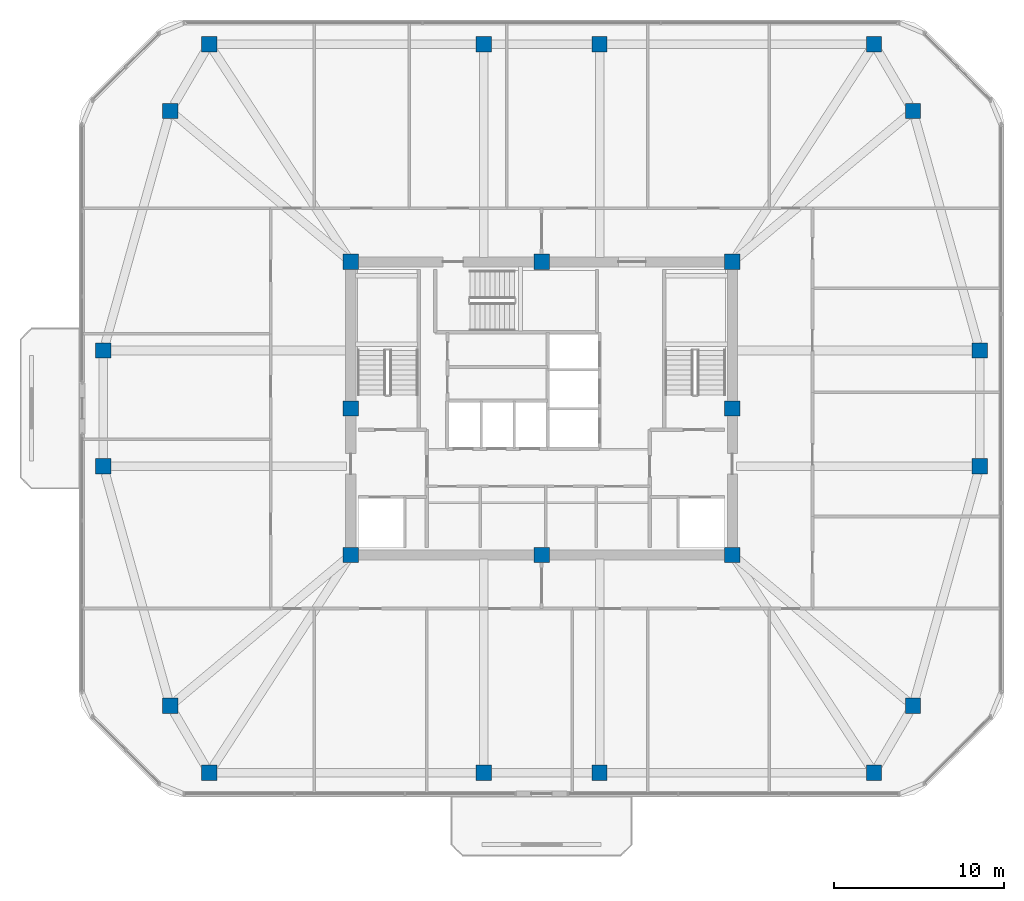
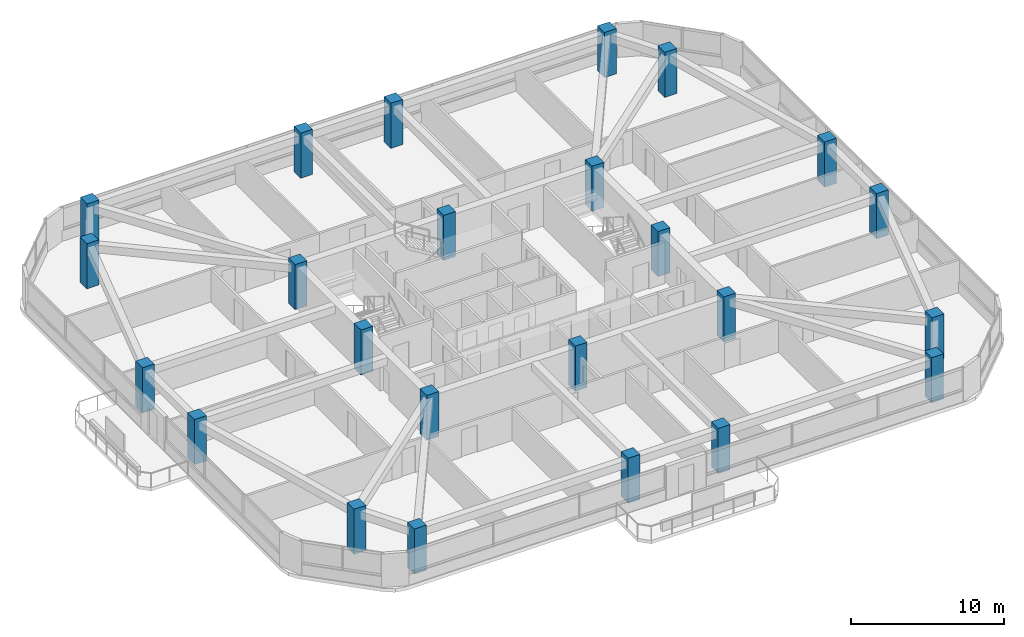
# One storey, part 1 of 13: 24 columns.
"""IFC4 building model written with IfcOpenShell, lengths in metres."""

from ifc_helpers import new_model, si_unit, derived_unit, direction, frame, origin, origin_2d, place, context, subcontext, project, spatial, rectangle, extrude, material, material_profile, profile_set, type_object, element, save


model = new_model("IFC4")

# Units and contexts
model_context = context("Model", 3, precision=1e-05, world=origin(), true_north=direction((0.0, 1.0)))
body_context = subcontext(model_context, "Body", "Model", "MODEL_VIEW")
ifc_project = project(units=[si_unit("LENGTHUNIT", "METRE"), si_unit("AREAUNIT", "SQUARE_METRE"), si_unit("VOLUMEUNIT", "CUBIC_METRE"), si_unit("PLANEANGLEUNIT", "RADIAN"), si_unit("MASSUNIT", "GRAM", prefix="KILO"), derived_unit("THERMALTRANSMITTANCEUNIT", [(si_unit("POWERUNIT", "WATT"), 1), (si_unit("LENGTHUNIT", "METRE"), -2), (si_unit("THERMODYNAMICTEMPERATUREUNIT", "KELVIN"), -1)])], contexts=[model_context])

# Site, building, storey
site_placement = place(None, origin())
site = spatial("IfcSite", under=ifc_project, at=site_placement, CompositionType="ELEMENT")
building_placement = place(site_placement, origin())
building = spatial("IfcBuilding", under=site, at=building_placement, Name="Koralith Skygarden Medical Center", CompositionType="ELEMENT")
storey_placement = place(building_placement, frame((0.0, 0.0, 228.780029296875)))
storey = spatial("IfcBuildingStorey", under=building, at=storey_placement, Name="L59", CompositionType="ELEMENT", Elevation=228.780029296875)

# Columns
ifc_material = material(Name="Concrete C55/67", Category="concrete")
ifc_material_profile_1 = material_profile(ifc_material, rectangle(XDim=0.89990234375, YDim=0.89990234375, at=origin_2d()), Name="RC900X900")
ifc_profile_set_1 = profile_set([ifc_material_profile_1], Name="Concrete C55/67")
column_type_1 = type_object("IfcColumnType", Name="Core Column C55 RC900", PredefinedType="COLUMN", material=ifc_profile_set_1)
for number, where, z_axis, x_axis, name in (
    (1, (25.800048828125, 17.300048828125, 0.0), (0.0, 0.0, 1.0), (1.0, 0.0, 0.0), "L59 Core Column CC-01"),
    (2, (37.0, 17.300048828125, 0.0), (0.0, 0.0, 1.0), (1.0, 0.0, 0.0), "L59 Core Column CC-02"),
    (3, (48.199951171875, 17.300048828125, 0.0), (0.0, 0.0, 1.0), (1.0, 0.0, 0.0), "L59 Core Column CC-03"),
    (4, (48.199951171875, 25.89990234375, 0.0), (0.0, 0.0, 1.0), (1.0, 0.0, 0.0), "L59 Core Column CC-04"),
    (5, (48.199951171875, 34.5, 0.0), (0.0, 0.0, 1.0), (1.0, 0.0, 0.0), "L59 Core Column CC-05"),
    (6, (37.0, 34.5, 0.0), (0.0, 0.0, 1.0), (1.0, 0.0, 0.0), "L59 Core Column CC-06"),
    (7, (25.800048828125, 34.5, 0.0), (0.0, 0.0, 1.0), (1.0, 0.0, 0.0), "L59 Core Column CC-07"),
    (8, (25.800048828125, 25.89990234375, 0.0), (0.0, 0.0, 1.0), (1.0, 0.0, 0.0), "L59 Core Column CC-08"),
):
    element("IfcColumn", number, at=place(storey_placement, frame(where, z_axis=z_axis, x_axis=x_axis)), inside=storey, type_object=column_type_1, Name=name, PredefinedType="COLUMN", context=body_context, shape_type="SweptSolid", body=[
        extrude(rectangle(XDim=0.89990234375, YDim=0.89990234375, at=origin_2d()), origin(), (0.0, 0.0, 1.0), 3.599853515625),
    ])
ifc_material_profile_2 = material_profile(ifc_material, rectangle(XDim=0.89990234375, YDim=0.89990234375, at=origin_2d()), Name="RC900X900")
ifc_profile_set_2 = profile_set([ifc_material_profile_2], Name="Concrete C55/67")
column_type_2 = type_object("IfcColumnType", Name="Zone 4 Flare Mega-Column C55 RC900", PredefinedType="COLUMN", material=ifc_profile_set_2)
for number, where, z_axis, x_axis, name in (
    (9, (11.278076171875, 22.5, 0.0), (0.0, 0.0, 1.0), (1.0, 0.0, 0.0), "L59 Perimeter Mega-Column MC-01"),
    (10, (15.197998046875, 8.43994140625, 0.0), (0.0, 0.0, 1.0), (1.0, 0.0, 0.0), "L59 Perimeter Mega-Column MC-02"),
    (11, (17.489990234375, 4.52001953125, 0.0), (0.0, 0.0, 1.0), (1.0, 0.0, 0.0), "L59 Perimeter Mega-Column MC-03"),
    (12, (33.60009765625, 4.52001953125, 0.0), (0.0, 0.0, 1.0), (1.0, 0.0, 0.0), "L59 Perimeter Mega-Column MC-04"),
    (13, (40.39990234375, 4.52001953125, 0.0), (0.0, 0.0, 1.0), (1.0, 0.0, 0.0), "L59 Perimeter Mega-Column MC-05"),
    (14, (56.510009765625, 4.52001953125, 0.0), (0.0, 0.0, 1.0), (1.0, 0.0, 0.0), "L59 Perimeter Mega-Column MC-06"),
    (15, (58.802001953125, 8.43994140625, 0.0), (0.0, 0.0, 1.0), (1.0, 0.0, 0.0), "L59 Perimeter Mega-Column MC-07"),
    (16, (62.721923828125, 22.5, 0.0), (0.0, 0.0, 1.0), (1.0, 0.0, 0.0), "L59 Perimeter Mega-Column MC-08"),
    (17, (62.721923828125, 29.300048828125, 0.0), (0.0, 0.0, 1.0), (1.0, 0.0, 0.0), "L59 Perimeter Mega-Column MC-09"),
    (18, (58.802001953125, 43.360107421875, 0.0), (0.0, 0.0, 1.0), (1.0, 0.0, 0.0), "L59 Perimeter Mega-Column MC-10"),
    (19, (56.510009765625, 47.280029296875, 0.0), (0.0, 0.0, 1.0), (1.0, 0.0, 0.0), "L59 Perimeter Mega-Column MC-11"),
    (20, (40.39990234375, 47.280029296875, 0.0), (0.0, 0.0, 1.0), (1.0, 0.0, 0.0), "L59 Perimeter Mega-Column MC-12"),
    (21, (33.60009765625, 47.280029296875, 0.0), (0.0, 0.0, 1.0), (1.0, 0.0, 0.0), "L59 Perimeter Mega-Column MC-13"),
    (22, (17.489990234375, 47.280029296875, 0.0), (0.0, 0.0, 1.0), (1.0, 0.0, 0.0), "L59 Perimeter Mega-Column MC-14"),
    (23, (15.197998046875, 43.360107421875, 0.0), (0.0, 0.0, 1.0), (1.0, 0.0, 0.0), "L59 Perimeter Mega-Column MC-15"),
    (24, (11.278076171875, 29.300048828125, 0.0), (0.0, 0.0, 1.0), (1.0, 0.0, 0.0), "L59 Perimeter Mega-Column MC-16"),
):
    element("IfcColumn", number, at=place(storey_placement, frame(where, z_axis=z_axis, x_axis=x_axis)), inside=storey, type_object=column_type_2, Name=name, PredefinedType="COLUMN", context=body_context, shape_type="SweptSolid", body=[
        extrude(rectangle(XDim=0.89990234375, YDim=0.89990234375, at=origin_2d()), origin(), (0.0, 0.0, 1.0), 3.599853515625),
    ])

save(model, "model.ifc")
